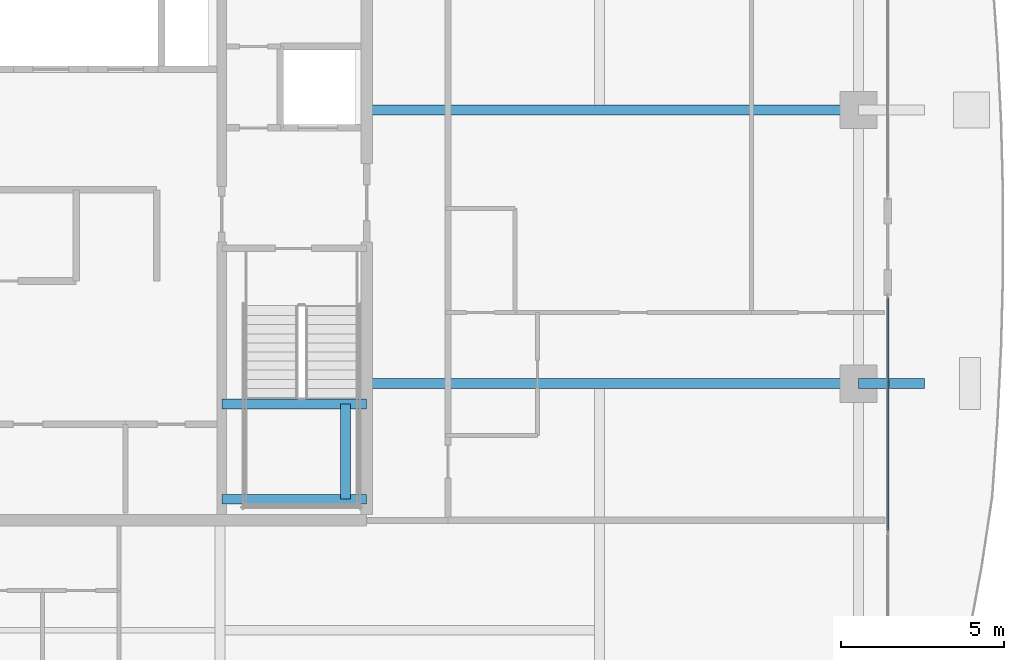
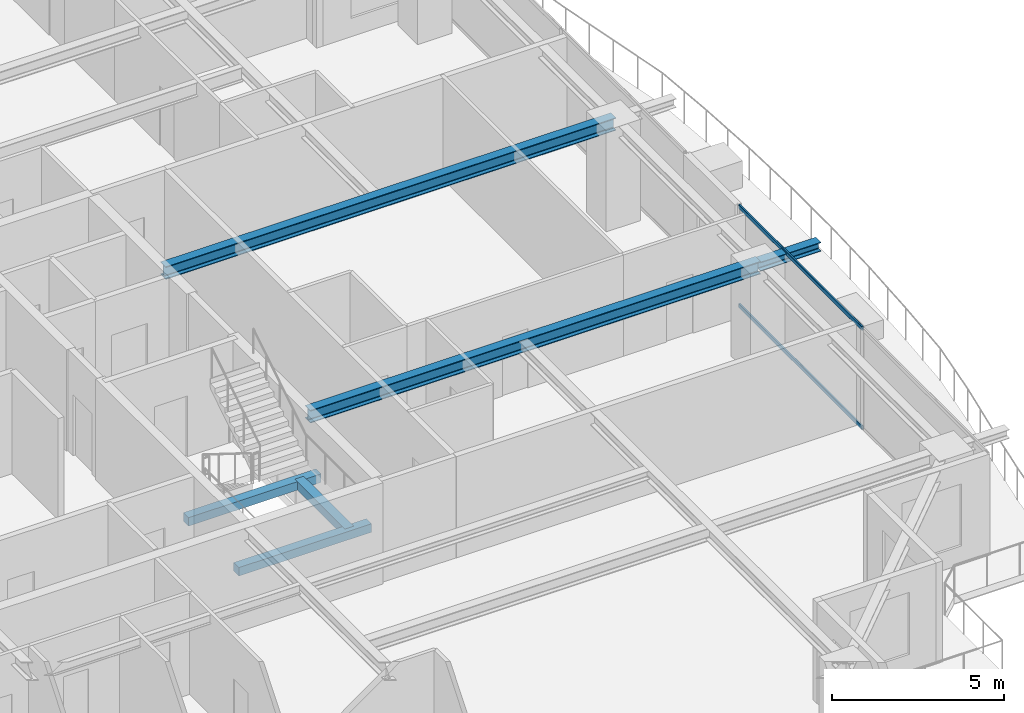
# One storey, part 14 of 37: 6 beams, 2 members, 1 element without a shape of its own.
"""IFC4 building model written with IfcOpenShell, lengths in metres."""

from ifc_helpers import new_model, si_unit, direction, frame, origin, origin_2d, place, context, subcontext, project, spatial, rectangle, hollow_rectangle, i_section, extrude, source, transform, mapped, material, layer, layer_set, material_profile, profile_set, type_object, element, aggregate, save


model = new_model("IFC4")

# Units and contexts
model_context = context("Model", 3, precision=1e-05, world=origin(), true_north=direction((0.0, 1.0)))
body_context = subcontext(model_context, "Body", "Model", "MODEL_VIEW")
ifc_project = project(units=[si_unit("LENGTHUNIT", "METRE"), si_unit("AREAUNIT", "SQUARE_METRE"), si_unit("VOLUMEUNIT", "CUBIC_METRE"), si_unit("PLANEANGLEUNIT", "RADIAN"), si_unit("MASSUNIT", "GRAM", prefix="KILO")], contexts=[model_context])

# Site, building, storey
site_placement = place(None, origin())
site = spatial("IfcSite", under=ifc_project, at=site_placement, CompositionType="ELEMENT")
building_placement = place(site_placement, origin())
building = spatial("IfcBuilding", under=site, at=building_placement, Name="Serunith Strait Residences", CompositionType="ELEMENT")
storey_placement = place(building_placement, frame((0.0, 0.0, 233.550048828125)))
storey = spatial("IfcBuildingStorey", under=building, at=storey_placement, Name="L58", CompositionType="ELEMENT", Elevation=233.550048828125)

# Beams
ifc_material_1 = material(Name="Steel S355J2", Category="steel")
ifc_material_profile_1 = material_profile(ifc_material_1, i_section(OverallWidth=0.300048828125, OverallDepth=0.449951171875, WebThickness=0.013916015625, FlangeThickness=0.02587890625, FilletRadius=0.027099609375, at=origin_2d()), Name="HEB 450")
ifc_profile_set_1 = profile_set([ifc_material_profile_1], Name="Steel S355J2")
beam_type_1 = type_object("IfcBeamType", Name="BM-HEB450", PredefinedType="BEAM", material=ifc_profile_set_1)
shared_shape_1 = source(origin(), body_context, "Body", "SweptSolid", [
    extrude(i_section(OverallWidth=0.300048828125, OverallDepth=0.449951171875, WebThickness=0.013916015625, FlangeThickness=0.02587890625, FilletRadius=0.027099609375, at=origin_2d()), origin(), (0.0, 0.0, 1.0), 15.10009765625),
])
for number, where, z_axis, x_axis, name in (
    (1, (41.39990234375, 21.0, 3.362060546875), (1.0, 0.0, 0.0), (0.0, 1.0, 0.0), "L58 Primary Floor Girder TC-E2"),
    (2, (41.39990234375, 29.39990234375, 3.362060546875), (1.0, 0.0, 0.0), (0.0, 1.0, 0.0), "L58 Primary Floor Girder TC-E3"),
):
    element("IfcBeam", number, at=place(storey_placement, frame(where, z_axis=z_axis, x_axis=x_axis)), inside=storey, type_object=beam_type_1, Name=name, PredefinedType="BEAM", context=body_context, shape_type="MappedRepresentation", body=[
        mapped(shared_shape_1, transform((0.0, 0.0, 0.0), scale=1.0)),
    ])
ifc_material_profile_2 = material_profile(ifc_material_1, i_section(OverallWidth=0.300048828125, OverallDepth=0.320068359375, WebThickness=0.011474609375, FlangeThickness=0.0205078125, FilletRadius=0.027099609375, at=origin_2d()), Name="HEB 320")
ifc_profile_set_2 = profile_set([ifc_material_profile_2], Name="Steel S355J2")
beam_type_2 = type_object("IfcBeamType", Name="BM-HEB320", PredefinedType="BEAM", material=ifc_profile_set_2)
shared_shape_2 = source(origin(), body_context, "Body", "SweptSolid", [
    extrude(i_section(OverallWidth=0.300048828125, OverallDepth=0.320068359375, WebThickness=0.011474609375, FlangeThickness=0.0205078125, FilletRadius=0.027099609375, at=origin_2d()), origin(), (0.0, 0.0, 1.0), 2.030029296875),
])
beam_1_placement = place(storey_placement, frame((56.5, 21.0, 3.39697265625), z_axis=(1.0, 0.0, 0.0), x_axis=(0.0, 1.0, 0.0)))
element("IfcBeam", 3, at=beam_1_placement, inside=storey, type_object=beam_type_2, Name="L59 Cantilevered Balcony Rib TC-E2", PredefinedType="BEAM", context=body_context, shape_type="MappedRepresentation", body=[
    mapped(shared_shape_2, transform((0.0, 0.0, 0.0), scale=1.0)),
])
ifc_material_2 = material(Name="Concrete C60/75", Category="concrete")
ifc_material_profile_3 = material_profile(ifc_material_2, rectangle(XDim=0.300048828125, YDim=0.300048828125, at=origin_2d()), Name="RC 300x300")
ifc_profile_set_3 = profile_set([ifc_material_profile_3], Name="Concrete C60/75")
beam_type_3 = type_object("IfcBeamType", Name="BM-LAND-300x300", PredefinedType="BEAM", material=ifc_profile_set_3)
shared_shape_3 = source(origin(), body_context, "Body", "SweptSolid", [
    extrude(rectangle(XDim=0.300048828125, YDim=0.300048828125, at=origin_2d()), origin(), (0.0, 0.0, 1.0), 4.449951171875),
])
for number, where, z_axis, x_axis, name in (
    (4, (36.949951171875, 17.449951171875, 1.574951171875), (1.0, 0.0, 0.0), (0.0, 1.0, 0.0), "L58 ST-2 Landing Support Beam 1"),
    (5, (36.949951171875, 20.3701171875, 1.574951171875), (1.0, 0.0, 0.0), (0.0, 1.0, 0.0), "L58 ST-2 Landing Support Beam 2"),
):
    element("IfcBeam", number, at=place(storey_placement, frame(where, z_axis=z_axis, x_axis=x_axis)), inside=storey, type_object=beam_type_3, Name=name, PredefinedType="BEAM", context=body_context, shape_type="MappedRepresentation", body=[
        mapped(shared_shape_3, transform((0.0, 0.0, 0.0), scale=1.0)),
    ])
shared_shape_4 = source(origin(), body_context, "Body", "SweptSolid", [
    extrude(rectangle(XDim=0.300048828125, YDim=0.300048828125, at=origin_2d()), origin(), (0.0, 0.0, 1.0), 2.920166015625),
])
beam_2_placement = place(storey_placement, frame((40.75, 17.449951171875, 1.574951171875), z_axis=(0.0, 1.0, 0.0), x_axis=(-1.0, 0.0, 0.0)))
element("IfcBeam", 6, at=beam_2_placement, inside=storey, type_object=beam_type_3, Name="L58 ST-2 Landing Transverse Tie Beam", PredefinedType="BEAM", context=body_context, shape_type="MappedRepresentation", body=[
    mapped(shared_shape_4, transform((0.0, 0.0, 0.0), scale=1.0)),
])

# Curtain wall, members
ifc_material_3 = material(Name="Pale-Champagne Anodised Aluminium", Category="aluminium")
ifc_layer = layer(ifc_material_3, 0.199951171875, Name="Pale-Champagne Anodised Aluminium")
ifc_layer_set = layer_set([ifc_layer], Name="Pale-Champagne Anodised Aluminium")
curtain_wall_type = type_object("IfcCurtainWallType", Name="CW-SYS4", PredefinedType="NOTDEFINED", material=ifc_layer_set)
curtain_wall_placement = place(storey_placement, origin())
curtain_wall = element("IfcCurtainWall", 7, at=curtain_wall_placement, inside=storey, type_object=curtain_wall_type, Name="L58 E Unitised Fritted Curtain Wall", PredefinedType="NOTDEFINED")
ifc_material_profile_4 = material_profile(ifc_material_3, hollow_rectangle(XDim=0.06005859375, YDim=0.139892578125, WallThickness=0.00341796875, InnerFilletRadius=0.00537109375, OuterFilletRadius=0.0087890625, at=origin_2d()), Name="ALU 140x60x3.5")
ifc_profile_set_4 = profile_set([ifc_material_profile_4], Name="Pale-Champagne Anodised Aluminium")
member_type = type_object("IfcMemberType", Name="CW-SYS4-TRAN", PredefinedType="USERDEFINED", material=ifc_profile_set_4)
shared_shape_5 = source(origin(), body_context, "Body", "SweptSolid", [
    extrude(hollow_rectangle(XDim=0.06005859375, YDim=0.139892578125, WallThickness=0.00341796875, InnerFilletRadius=0.00537109375, OuterFilletRadius=0.0087890625, at=origin_2d()), origin(), (0.0, 0.0, 1.0), 7.152587890625),
])
member_1_placement = place(storey_placement, frame((57.39990234375, 16.482421875, 0.030029296875), z_axis=(0.0, 1.0, 0.0), x_axis=(-1.0, 0.0, 0.0)))
member_1 = element("IfcMember", 8, at=member_1_placement, type_object=member_type, Name="CW-4 transom 2.1", ObjectType="TRANSOM", PredefinedType="USERDEFINED", context=body_context, shape_type="MappedRepresentation", body=[
    mapped(shared_shape_5, transform((0.0, 0.0, 0.0), scale=1.0)),
])
member_2_placement = place(storey_placement, frame((57.39990234375, 16.482421875, 3.544921875), z_axis=(0.0, 1.0, 0.0), x_axis=(-1.0, 0.0, 0.0)))
member_2 = element("IfcMember", 9, at=member_2_placement, type_object=member_type, Name="CW-4 transom 2.2", ObjectType="TRANSOM", PredefinedType="USERDEFINED", context=body_context, shape_type="MappedRepresentation", body=[
    mapped(shared_shape_5, transform((0.0, 0.0, 0.0), scale=1.0)),
])
aggregate(curtain_wall, [member_1, member_2])

save(model, "model.ifc")
